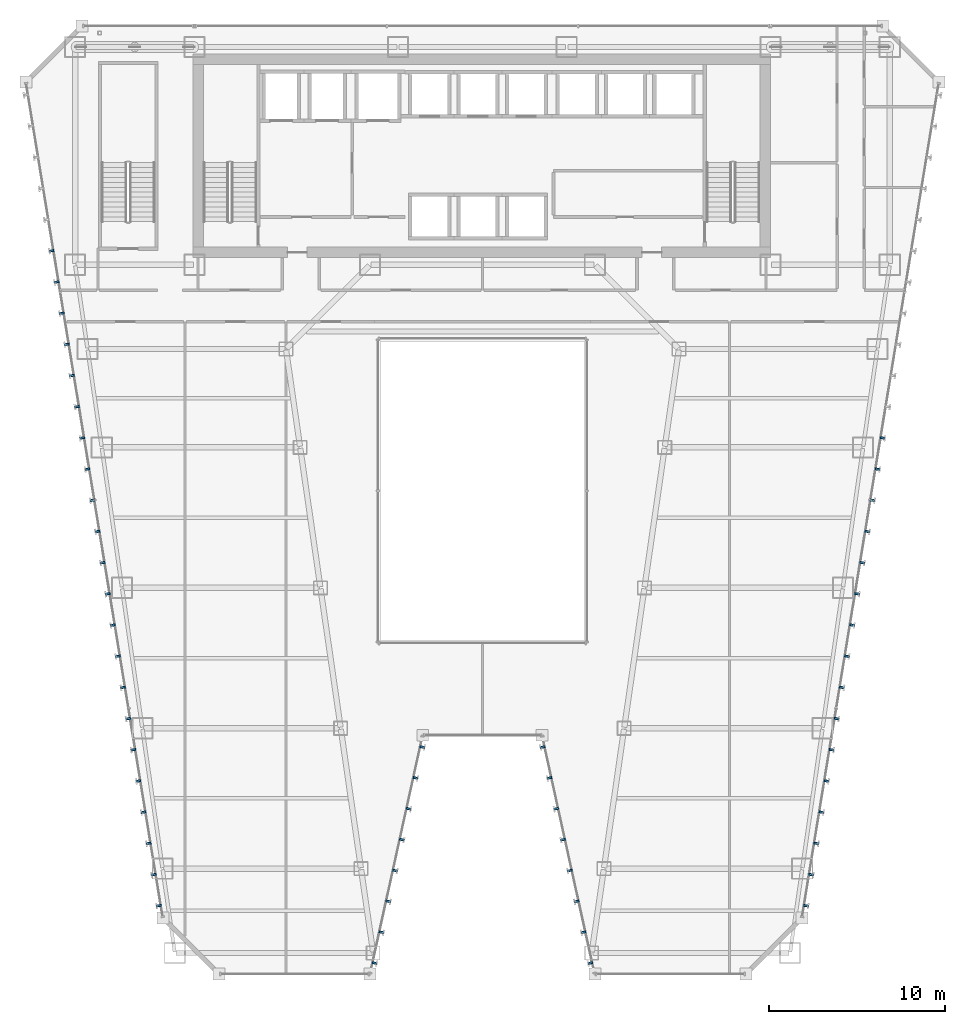
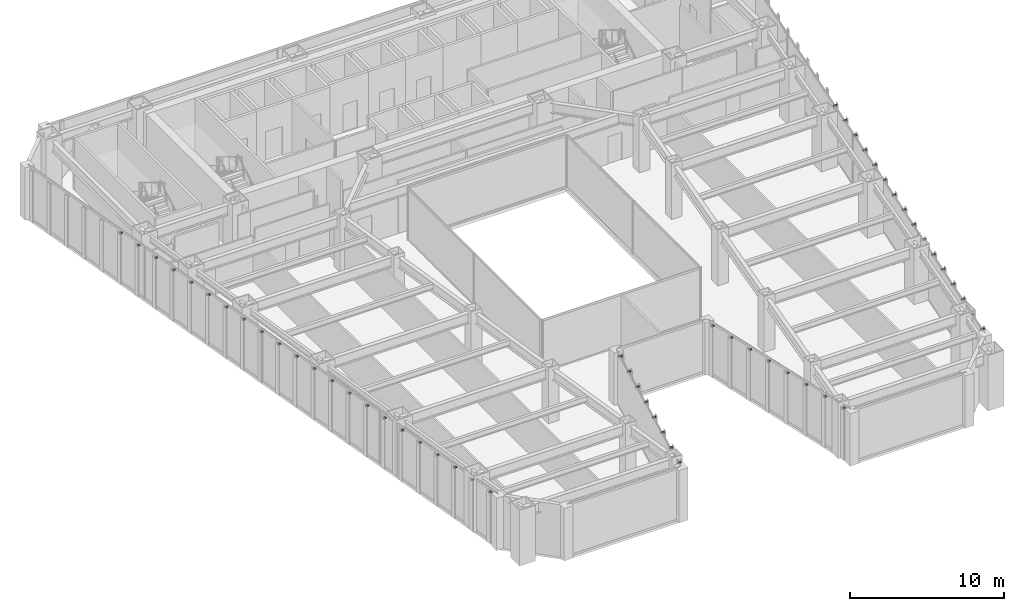
# One storey, part 39 of 47: 54 discrete accessories.
"""IFC4 building model written with IfcOpenShell, lengths in metres."""

from ifc_helpers import new_model, si_unit, direction, frame, origin, origin_2d, place, context, subcontext, project, spatial, rectangle, extrude, material, layer, layer_set, type_object, element, save


model = new_model("IFC4")

# Units and contexts
model_context = context("Model", 3, precision=1e-05, world=origin(), true_north=direction((0.0, 1.0)))
body_context = subcontext(model_context, "Body", "Model", "MODEL_VIEW")
ifc_project = project(units=[si_unit("LENGTHUNIT", "METRE"), si_unit("AREAUNIT", "SQUARE_METRE"), si_unit("VOLUMEUNIT", "CUBIC_METRE"), si_unit("PLANEANGLEUNIT", "RADIAN"), si_unit("MASSUNIT", "GRAM", prefix="KILO")], contexts=[model_context])

# Site, building, storey
site_placement = place(None, origin())
site = spatial("IfcSite", under=ifc_project, at=site_placement, CompositionType="ELEMENT")
building_placement = place(site_placement, origin())
building = spatial("IfcBuilding", under=site, at=building_placement, Name="Saevonmaru Cultural Tower", CompositionType="ELEMENT")
storey_placement = place(building_placement, frame((0.0, 0.0, 47.199951171875)))
storey = spatial("IfcBuildingStorey", under=building, at=storey_placement, Name="L09", CompositionType="ELEMENT", Elevation=47.199951171875)

# Discrete accessories
ifc_material = material(Name="Stainless Steel 316", Category="steel")
ifc_layer = layer(ifc_material, 0.1201171875, Name="Stainless Steel 316")
ifc_layer_set = layer_set([ifc_layer], Name="Stainless Steel 316")
discrete_accessory_type = type_object("IfcDiscreteAccessoryType", Name="ACC-FIN-BRKT", PredefinedType="BRACKET", material=ifc_layer_set)
for number, where, z_axis, x_axis, name in (
    (1, (23.850341796875, 2.624267578125, 3.929931640625), (0.0, 0.0, 1.0), (0.976522126798, -0.215417120661, 0.0), "L09 Bronze Fin Bracket E3-01"),
    (2, (24.238037109375, 4.3818359375, 3.929931640625), (0.0, 0.0, 1.0), (0.976522126798, -0.215417120661, 0.0), "L09 Bronze Fin Bracket E3-02"),
    (3, (24.625732421875, 6.1396484375, 3.929931640625), (0.0, 0.0, 1.0), (0.976522126798, -0.215417120661, 0.0), "L09 Bronze Fin Bracket E3-03"),
    (4, (25.013427734375, 7.8974609375, 3.929931640625), (0.0, 0.0, 1.0), (0.976522126798, -0.215417120661, 0.0), "L09 Bronze Fin Bracket E3-04"),
    (5, (25.4013671875, 9.6552734375, 3.929931640625), (0.0, 0.0, 1.0), (0.976522126798, -0.215417120661, 0.0), "L09 Bronze Fin Bracket E3-05"),
    (6, (25.7890625, 11.412841796875, 3.929931640625), (0.0, 0.0, 1.0), (0.976522126798, -0.215417120661, 0.0), "L09 Bronze Fin Bracket E3-06"),
    (7, (26.1767578125, 13.170654296875, 3.929931640625), (0.0, 0.0, 1.0), (0.976522126798, -0.215417120661, 0.0), "L09 Bronze Fin Bracket E3-07"),
    (8, (26.564453125, 14.928466796875, 3.929931640625), (0.0, 0.0, 1.0), (0.976522126798, -0.215417120661, 0.0), "L09 Bronze Fin Bracket E3-08"),
    (9, (33.435546875, 14.928466796875, 3.929931640625), (0.0, 0.0, 1.0), (-0.976522126798, -0.215417120661, 0.0), "L09 Bronze Fin Bracket E5-01"),
    (10, (33.8232421875, 13.170654296875, 3.929931640625), (0.0, 0.0, 1.0), (-0.976522126798, -0.215417120661, 0.0), "L09 Bronze Fin Bracket E5-02"),
    (11, (34.2109375, 11.412841796875, 3.929931640625), (0.0, 0.0, 1.0), (-0.976522126798, -0.215417120661, 0.0), "L09 Bronze Fin Bracket E5-03"),
    (12, (34.5986328125, 9.6552734375, 3.929931640625), (0.0, 0.0, 1.0), (-0.976522126798, -0.215417120661, 0.0), "L09 Bronze Fin Bracket E5-04"),
    (13, (34.986572265625, 7.8974609375, 3.929931640625), (0.0, 0.0, 1.0), (-0.976522126798, -0.215417120661, 0.0), "L09 Bronze Fin Bracket E5-05"),
    (14, (35.374267578125, 6.1396484375, 3.929931640625), (0.0, 0.0, 1.0), (-0.976522126798, -0.215417120661, 0.0), "L09 Bronze Fin Bracket E5-06"),
    (15, (35.761962890625, 4.3818359375, 3.929931640625), (0.0, 0.0, 1.0), (-0.976522126798, -0.215417120661, 0.0), "L09 Bronze Fin Bracket E5-07"),
    (16, (36.149658203125, 2.624267578125, 3.929931640625), (0.0, 0.0, 1.0), (-0.976522126798, -0.215417120661, 0.0), "L09 Bronze Fin Bracket E5-08"),
    (17, (48.424560546875, 5.89013671875, 3.929931640625), (0.0, 0.0, 1.0), (0.986827496189, -0.161776057456, 0.0), "L09 Bronze Fin Bracket E8-01"),
    (18, (48.715576171875, 7.66650390625, 3.929931640625), (0.0, 0.0, 1.0), (0.986827496189, -0.161776057456, 0.0), "L09 Bronze Fin Bracket E8-02"),
    (19, (49.006591796875, 9.44287109375, 3.929931640625), (0.0, 0.0, 1.0), (0.986827496189, -0.161776057456, 0.0), "L09 Bronze Fin Bracket E8-03"),
    (20, (49.2978515625, 11.218994140625, 3.929931640625), (0.0, 0.0, 1.0), (0.986827496189, -0.161776057456, 0.0), "L09 Bronze Fin Bracket E8-04"),
    (21, (49.5888671875, 12.995361328125, 3.929931640625), (0.0, 0.0, 1.0), (0.986827496189, -0.161776057456, 0.0), "L09 Bronze Fin Bracket E8-05"),
    (22, (49.8798828125, 14.771728515625, 3.929931640625), (0.0, 0.0, 1.0), (0.986827496189, -0.161776057456, 0.0), "L09 Bronze Fin Bracket E8-06"),
    (23, (50.1708984375, 16.548095703125, 3.929931640625), (0.0, 0.0, 1.0), (0.986827496189, -0.161776057456, 0.0), "L09 Bronze Fin Bracket E8-07"),
    (24, (50.462158203125, 18.324462890625, 3.929931640625), (0.0, 0.0, 1.0), (0.986827496189, -0.161776057456, 0.0), "L09 Bronze Fin Bracket E8-08"),
    (25, (50.753173828125, 20.1005859375, 3.929931640625), (0.0, 0.0, 1.0), (0.986827496189, -0.161776057456, 0.0), "L09 Bronze Fin Bracket E8-09"),
    (26, (51.044189453125, 21.876953125, 3.929931640625), (0.0, 0.0, 1.0), (0.986827496189, -0.161776057456, 0.0), "L09 Bronze Fin Bracket E8-10"),
    (27, (51.335205078125, 23.6533203125, 3.929931640625), (0.0, 0.0, 1.0), (0.986827496189, -0.161776057456, 0.0), "L09 Bronze Fin Bracket E8-11"),
    (28, (51.62646484375, 25.4296875, 3.929931640625), (0.0, 0.0, 1.0), (0.986827496189, -0.161776057456, 0.0), "L09 Bronze Fin Bracket E8-12"),
    (29, (51.91748046875, 27.205810546875, 3.929931640625), (0.0, 0.0, 1.0), (0.986827496189, -0.161776057456, 0.0), "L09 Bronze Fin Bracket E8-13"),
    (30, (52.20849609375, 28.982177734375, 3.929931640625), (0.0, 0.0, 1.0), (0.986827496189, -0.161776057456, 0.0), "L09 Bronze Fin Bracket E8-14"),
    (31, (52.49951171875, 30.758544921875, 3.929931640625), (0.0, 0.0, 1.0), (0.986827496189, -0.161776057456, 0.0), "L09 Bronze Fin Bracket E8-15"),
    (32, (52.790771484375, 32.534912109375, 3.929931640625), (0.0, 0.0, 1.0), (0.986827496189, -0.161776057456, 0.0), "L09 Bronze Fin Bracket E8-16"),
    (33, (5.462890625, 43.192626953125, 3.929931640625), (0.0, 0.0, 1.0), (-0.986827496189, -0.161776057456, 0.0), "L09 Bronze Fin Bracket E12-06"),
    (34, (5.75390625, 41.41650390625, 3.929931640625), (0.0, 0.0, 1.0), (-0.986827496189, -0.161776057456, 0.0), "L09 Bronze Fin Bracket E12-07"),
    (35, (6.044921875, 39.64013671875, 3.929931640625), (0.0, 0.0, 1.0), (-0.986827496189, -0.161776057456, 0.0), "L09 Bronze Fin Bracket E12-08"),
    (36, (6.336181640625, 37.86376953125, 3.929931640625), (0.0, 0.0, 1.0), (-0.986827496189, -0.161776057456, 0.0), "L09 Bronze Fin Bracket E12-09"),
    (37, (6.627197265625, 36.08740234375, 3.929931640625), (0.0, 0.0, 1.0), (-0.986827496189, -0.161776057456, 0.0), "L09 Bronze Fin Bracket E12-10"),
    (38, (6.918212890625, 34.31103515625, 3.929931640625), (0.0, 0.0, 1.0), (-0.986827496189, -0.161776057456, 0.0), "L09 Bronze Fin Bracket E12-11"),
    (39, (7.209228515625, 32.534912109375, 3.929931640625), (0.0, 0.0, 1.0), (-0.986827496189, -0.161776057456, 0.0), "L09 Bronze Fin Bracket E12-12"),
    (40, (7.50048828125, 30.758544921875, 3.929931640625), (0.0, 0.0, 1.0), (-0.986827496189, -0.161776057456, 0.0), "L09 Bronze Fin Bracket E12-13"),
    (41, (7.79150390625, 28.982177734375, 3.929931640625), (0.0, 0.0, 1.0), (-0.986827496189, -0.161776057456, 0.0), "L09 Bronze Fin Bracket E12-14"),
    (42, (8.08251953125, 27.205810546875, 3.929931640625), (0.0, 0.0, 1.0), (-0.986827496189, -0.161776057456, 0.0), "L09 Bronze Fin Bracket E12-15"),
    (43, (8.37353515625, 25.4296875, 3.929931640625), (0.0, 0.0, 1.0), (-0.986827496189, -0.161776057456, 0.0), "L09 Bronze Fin Bracket E12-16"),
    (44, (8.664794921875, 23.6533203125, 3.929931640625), (0.0, 0.0, 1.0), (-0.986827496189, -0.161776057456, 0.0), "L09 Bronze Fin Bracket E12-17"),
    (45, (8.955810546875, 21.876953125, 3.929931640625), (0.0, 0.0, 1.0), (-0.986827496189, -0.161776057456, 0.0), "L09 Bronze Fin Bracket E12-18"),
    (46, (9.246826171875, 20.1005859375, 3.929931640625), (0.0, 0.0, 1.0), (-0.986827496189, -0.161776057456, 0.0), "L09 Bronze Fin Bracket E12-19"),
    (47, (9.537841796875, 18.324462890625, 3.929931640625), (0.0, 0.0, 1.0), (-0.986827496189, -0.161776057456, 0.0), "L09 Bronze Fin Bracket E12-20"),
    (48, (9.8291015625, 16.548095703125, 3.929931640625), (0.0, 0.0, 1.0), (-0.986827496189, -0.161776057456, 0.0), "L09 Bronze Fin Bracket E12-21"),
    (49, (10.1201171875, 14.771728515625, 3.929931640625), (0.0, 0.0, 1.0), (-0.986827496189, -0.161776057456, 0.0), "L09 Bronze Fin Bracket E12-22"),
    (50, (10.4111328125, 12.995361328125, 3.929931640625), (0.0, 0.0, 1.0), (-0.986827496189, -0.161776057456, 0.0), "L09 Bronze Fin Bracket E12-23"),
    (51, (10.7021484375, 11.218994140625, 3.929931640625), (0.0, 0.0, 1.0), (-0.986827496189, -0.161776057456, 0.0), "L09 Bronze Fin Bracket E12-24"),
    (52, (10.993408203125, 9.44287109375, 3.929931640625), (0.0, 0.0, 1.0), (-0.986827496189, -0.161776057456, 0.0), "L09 Bronze Fin Bracket E12-25"),
    (53, (11.284423828125, 7.66650390625, 3.929931640625), (0.0, 0.0, 1.0), (-0.986827496189, -0.161776057456, 0.0), "L09 Bronze Fin Bracket E12-26"),
    (54, (11.575439453125, 5.89013671875, 3.929931640625), (0.0, 0.0, 1.0), (-0.986827496189, -0.161776057456, 0.0), "L09 Bronze Fin Bracket E12-27"),
):
    element("IfcDiscreteAccessory", number, at=place(storey_placement, frame(where, z_axis=z_axis, x_axis=x_axis)), inside=storey, type_object=discrete_accessory_type, Name=name, PredefinedType="BRACKET", context=body_context, shape_type="SweptSolid", body=[
        extrude(rectangle(XDim=0.260009765625, YDim=0.1201171875, at=origin_2d()), origin(), (0.0, 0.0, 1.0), 0.1201171875),
    ])

save(model, "model.ifc")
